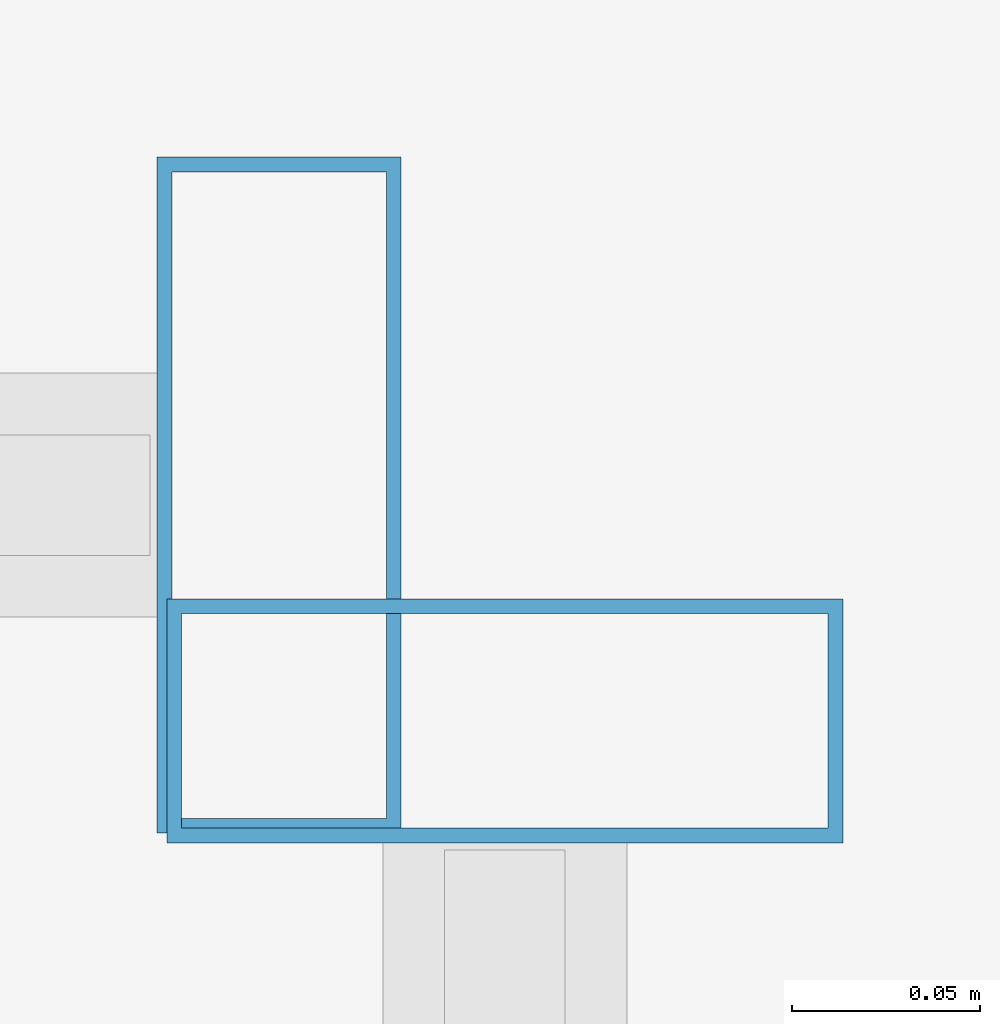
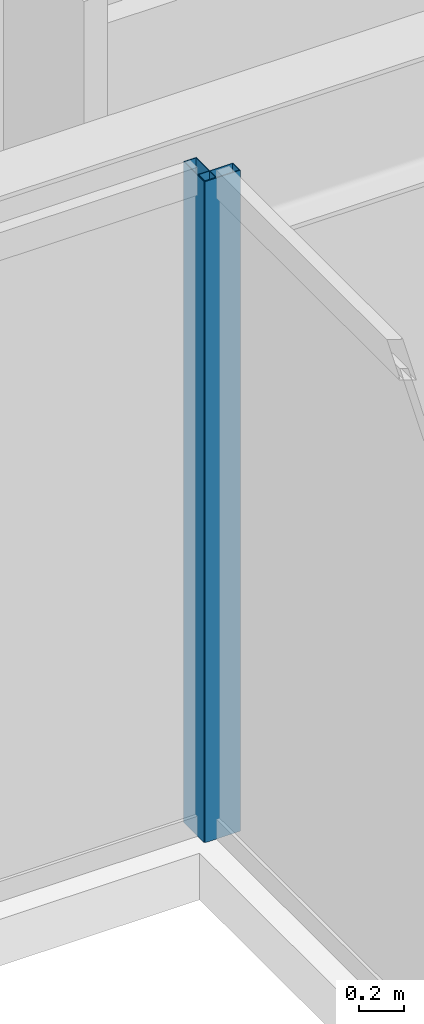
# One storey, part 13 of 36: 2 members, 2 elements without a shape of their own.
"""IFC4 building model written with IfcOpenShell, lengths in metres."""

from ifc_helpers import new_model, si_unit, direction, frame, origin, origin_2d, place, context, subcontext, project, spatial, hollow_rectangle, extrude, material, material_profile, profile_set, type_object, element, aggregate, save


model = new_model("IFC4")

# Units and contexts
model_context = context("Model", 3, precision=1e-05, world=origin(), true_north=direction((0.0, 1.0)))
body_context = subcontext(model_context, "Body", "Model", "MODEL_VIEW")
ifc_project = project(units=[si_unit("LENGTHUNIT", "METRE"), si_unit("AREAUNIT", "SQUARE_METRE"), si_unit("VOLUMEUNIT", "CUBIC_METRE"), si_unit("PLANEANGLEUNIT", "RADIAN"), si_unit("MASSUNIT", "GRAM", prefix="KILO")], contexts=[model_context])

# Site, building, storey
site_placement = place(None, origin())
site = spatial("IfcSite", under=ifc_project, at=site_placement, CompositionType="ELEMENT")
building_placement = place(site_placement, origin())
building = spatial("IfcBuilding", under=site, at=building_placement, Name="Saevonmaru Cultural Tower", CompositionType="ELEMENT")
storey_placement = place(building_placement, frame((0.0, 0.0, 152.39990234375)))
storey = spatial("IfcBuildingStorey", under=building, at=storey_placement, Name="L33", CompositionType="ELEMENT", Elevation=152.39990234375)

# Curtain wall, member
ifc_material = material(Name="Satin Bronze Anodised Aluminium", Category="aluminium")
curtain_wall_type = type_object("IfcCurtainWallType", Name="CW-ATR-GLZ", PredefinedType="NOTDEFINED", material=ifc_material)
curtain_wall_1_placement = place(storey_placement, origin())
curtain_wall_1 = element("IfcCurtainWall", 1, at=curtain_wall_1_placement, inside=storey, type_object=curtain_wall_type, Name="L33 Vertical Atrium Glazed Smoke Screen 2", PredefinedType="NOTDEFINED")
ifc_material_profile = material_profile(ifc_material, hollow_rectangle(XDim=0.06494140625, YDim=0.179931640625, WallThickness=0.00390625, at=origin_2d()), Name="ALU-MULL-180x65x4")
ifc_profile_set = profile_set([ifc_material_profile], Name="Satin Bronze Anodised Aluminium")
member_type = type_object("IfcMemberType", Name="ML-CW-INT-180x65", PredefinedType="MULLION", material=ifc_profile_set)
member_1_placement = place(storey_placement, frame((35.949951171875, 37.169921875, 0.0), z_axis=(0.0, 0.0, 1.0), x_axis=(0.0, 1.0, 0.0)))
member_1 = element("IfcMember", 2, at=member_1_placement, type_object=member_type, Name="CW-ATR-L33-2 mullion 2", PredefinedType="MULLION", context=body_context, shape_type="SweptSolid", body=[
    extrude(hollow_rectangle(XDim=0.06494140625, YDim=0.179931640625, WallThickness=0.00390625, at=origin_2d()), origin(), (0.0, 0.0, 1.0), 3.550048828125),
])
aggregate(curtain_wall_1, [member_1])

curtain_wall_2_placement = place(storey_placement, origin())
curtain_wall_2 = element("IfcCurtainWall", 3, at=curtain_wall_2_placement, inside=storey, type_object=curtain_wall_type, Name="L33 Vertical Atrium Glazed Smoke Screen 3", PredefinedType="NOTDEFINED")
member_2_placement = place(storey_placement, frame((35.889892578125, 37.22998046875, 0.0), z_axis=(0.0, 0.0, 1.0), x_axis=(-1.0, 0.0, 0.0)))
member_2 = element("IfcMember", 4, at=member_2_placement, type_object=member_type, Name="CW-ATR-L33-3 mullion 1", PredefinedType="MULLION", context=body_context, shape_type="SweptSolid", body=[
    extrude(hollow_rectangle(XDim=0.06494140625, YDim=0.179931640625, WallThickness=0.00390625, at=origin_2d()), origin(), (0.0, 0.0, 1.0), 3.550048828125),
])
aggregate(curtain_wall_2, [member_2])

save(model, "model.ifc")
